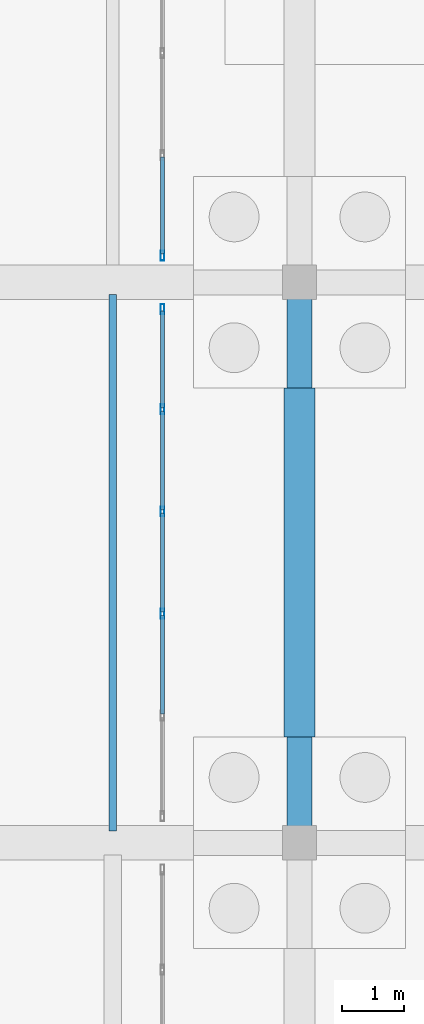
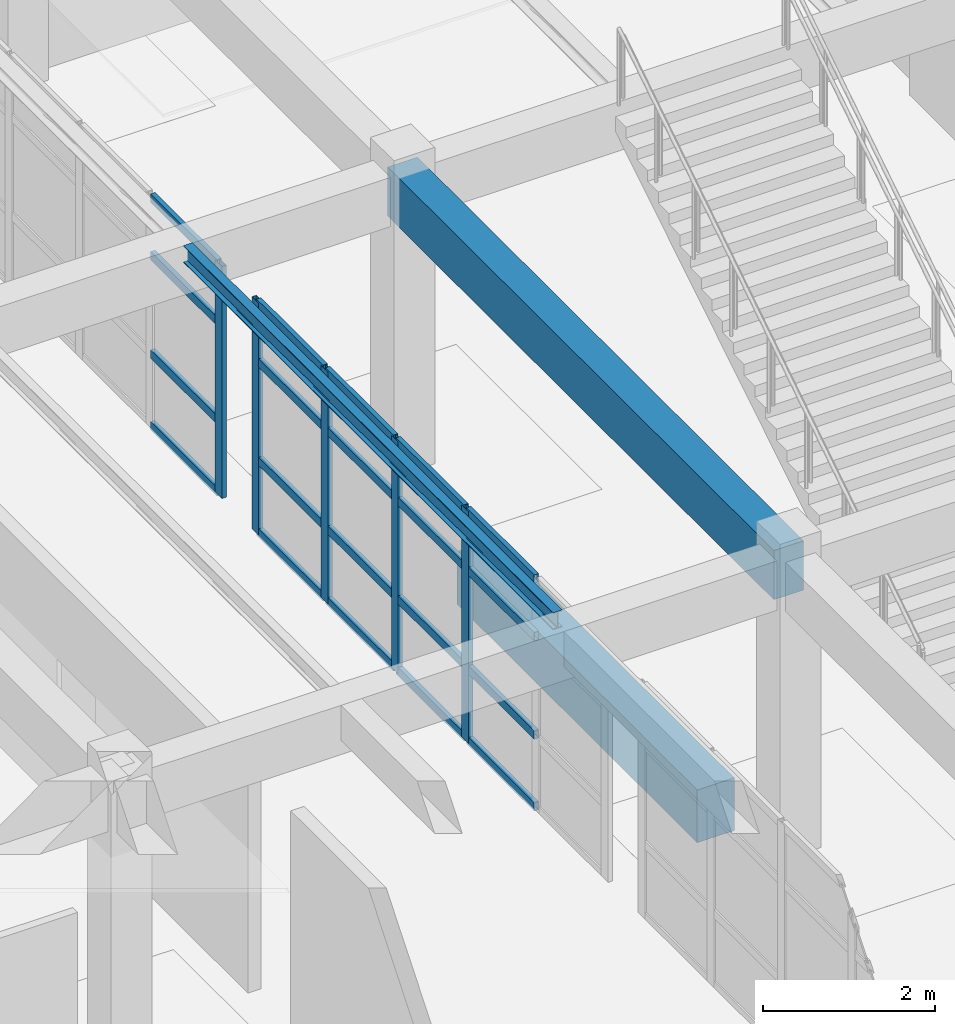
# One storey, part 43 of 186: 25 members, 3 beams, 2 elements without a shape of their own.
"""IFC4 building model written with IfcOpenShell, lengths in metres."""

from ifc_helpers import new_model, si_unit, direction, frame, origin, origin_2d, place, context, subcontext, project, spatial, rectangle, hollow_rectangle, i_section, extrude, material, layer, layer_set, material_profile, profile_set, type_object, element, aggregate, save


model = new_model("IFC4")

# Units and contexts
model_context = context("Model", 3, precision=1e-05, world=origin(), true_north=direction((0.0, 1.0)))
body_context = subcontext(model_context, "Body", "Model", "MODEL_VIEW")
ifc_project = project(units=[si_unit("LENGTHUNIT", "METRE"), si_unit("AREAUNIT", "SQUARE_METRE"), si_unit("VOLUMEUNIT", "CUBIC_METRE"), si_unit("PLANEANGLEUNIT", "RADIAN"), si_unit("MASSUNIT", "GRAM", prefix="KILO")], contexts=[model_context])

# Site, building, storey
site_placement = place(None, origin())
site = spatial("IfcSite", under=ifc_project, at=site_placement, CompositionType="ELEMENT")
building_placement = place(site_placement, origin())
building = spatial("IfcBuilding", under=site, at=building_placement, Name="Ornek Quay Market", CompositionType="ELEMENT")
storey_placement = place(building_placement, origin())
storey = spatial("IfcBuildingStorey", under=building, at=storey_placement, Name="L00", CompositionType="ELEMENT", Elevation=0.0)

# Beams
ifc_material_1 = material(Name="Concrete C35/45", Category="concrete")
ifc_material_profile_1 = material_profile(ifc_material_1, rectangle(XDim=0.5, YDim=0.75, at=origin_2d()), Name="RC 500x750", Category="concrete")
ifc_profile_set_1 = profile_set([ifc_material_profile_1], Name="Concrete C35/45")
beam_type_1 = type_object("IfcBeamType", Name="BM-GB-500x750", PredefinedType="BEAM", material=ifc_profile_set_1)
beam_1_placement = place(storey_placement, frame((18.0, 57.699951171875, -0.574951171875), z_axis=(0.0, 1.0, 0.0), x_axis=(-1.0, 0.0, 0.0)))
element("IfcBeam", 1, at=beam_1_placement, inside=storey, type_object=beam_type_1, Name="Ground tie beam GB-070", PredefinedType="BEAM", context=body_context, shape_type="SweptSolid", body=[
    extrude(rectangle(XDim=0.5, YDim=0.75, at=origin_2d()), origin(), (0.0, 0.0, 1.0), 5.60009765625),
])
ifc_material_2 = material(Name="Steel S355", Category="steel")
ifc_material_profile_2 = material_profile(ifc_material_2, i_section(OverallWidth=0.1201171875, OverallDepth=0.239990234375, WebThickness=0.006103515625, FlangeThickness=0.009765625, FilletRadius=0.014892578125, at=origin_2d()), Name="IPE 240", Category="steel")
ifc_profile_set_2 = profile_set([ifc_material_profile_2], Name="Steel S355")
beam_type_2 = type_object("IfcBeamType", Name="BM-STL-IPE240", PredefinedType="JOIST", material=ifc_profile_set_2)
beam_2_placement = place(storey_placement, frame((15.0, 56.19189453125, 4.10009765625), z_axis=(0.0, 1.0, 0.0), x_axis=(-1.0, 0.0, 0.0)))
element("IfcBeam", 2, at=beam_2_placement, inside=storey, type_object=beam_type_2, Name="Secondary joist SB-04-010", PredefinedType="JOIST", context=body_context, shape_type="SweptSolid", body=[
    extrude(i_section(OverallWidth=0.1201171875, OverallDepth=0.239990234375, WebThickness=0.006103515625, FlangeThickness=0.009765625, FilletRadius=0.014892578125, at=origin_2d()), origin(), (0.0, 0.0, 1.0), 8.6162109375),
])
ifc_material_profile_3 = material_profile(ifc_material_1, rectangle(XDim=0.39990234375, YDim=0.699951171875, at=origin_2d()), Name="RC 400x700", Category="concrete")
ifc_profile_set_3 = profile_set([ifc_material_profile_3], Name="Concrete C35/45")
beam_type_3 = type_object("IfcBeamType", Name="BM-WW-400x700", PredefinedType="BEAM", material=ifc_profile_set_3)
beam_3_placement = place(storey_placement, frame((18.0, 56.0, 3.8701171875), z_axis=(0.0, 1.0, 0.0), x_axis=(-1.0, 0.0, 0.0)))
element("IfcBeam", 3, at=beam_3_placement, inside=storey, type_object=beam_type_3, Name="Primary beam B-WW1-042", PredefinedType="BEAM", context=body_context, shape_type="SweptSolid", body=[
    extrude(rectangle(XDim=0.39990234375, YDim=0.699951171875, at=origin_2d()), origin(), (0.0, 0.0, 1.0), 9.0),
])

# Curtain wall, members
ifc_material_3 = material(Name="Anodised bronze aluminium and triple low-e glass", Category="aluminium")
ifc_layer = layer(ifc_material_3, 0.179931640625, Name="Anodised bronze aluminium and triple low-e glass", Category="aluminium")
ifc_layer_set = layer_set([ifc_layer], Name="Anodised bronze aluminium and triple low-e glass")
curtain_wall_type = type_object("IfcCurtainWallType", Name="CW-CONC-MOD1500", PredefinedType="USERDEFINED", material=ifc_layer_set)
curtain_wall_1_placement = place(storey_placement, origin())
curtain_wall_1 = element("IfcCurtainWall", 4, at=curtain_wall_1_placement, inside=storey, type_object=curtain_wall_type, Name="Curtain wall CW-140", ObjectType="CURTAIN WALL", PredefinedType="USERDEFINED")
ifc_material_4 = material(Name="Anodised aluminium 6063-T6", Category="aluminium")
ifc_material_profile_4 = material_profile(ifc_material_4, hollow_rectangle(XDim=0.06005859375, YDim=0.159912109375, WallThickness=0.00390625, at=origin_2d()), Name="CW-MUL-60x160", Category="aluminium")
ifc_profile_set_4 = profile_set([ifc_material_profile_4], Name="Anodised aluminium 6063-T6")
member_type_1 = type_object("IfcMemberType", Name="CW-MUL-60x160", PredefinedType="MULLION", material=ifc_profile_set_4)
member_1_placement = place(storey_placement, frame((15.800048828125, 59.679931640625, 0.0), z_axis=(0.0, 0.0, 1.0), x_axis=(-1.0, 0.0, 0.0)))
member_1 = element("IfcMember", 5, at=member_1_placement, type_object=member_type_1, Name="CW-140 mullion 3", PredefinedType="MULLION", context=body_context, shape_type="SweptSolid", body=[
    extrude(hollow_rectangle(XDim=0.06005859375, YDim=0.159912109375, WallThickness=0.00390625, at=origin_2d()), origin(), (0.0, 0.0, 1.0), 3.300048828125),
])
member_2_placement = place(storey_placement, frame((15.800048828125, 61.320068359375, 0.0), z_axis=(0.0, 0.0, 1.0), x_axis=(-1.0, 0.0, 0.0)))
member_2 = element("IfcMember", 6, at=member_2_placement, type_object=member_type_1, Name="CW-140 mullion 4", PredefinedType="MULLION", context=body_context, shape_type="SweptSolid", body=[
    extrude(hollow_rectangle(XDim=0.06005859375, YDim=0.159912109375, WallThickness=0.00390625, at=origin_2d()), origin(), (0.0, 0.0, 1.0), 3.300048828125),
])
member_3_placement = place(storey_placement, frame((15.800048828125, 62.9599609375, 0.0), z_axis=(0.0, 0.0, 1.0), x_axis=(-1.0, 0.0, 0.0)))
member_3 = element("IfcMember", 7, at=member_3_placement, type_object=member_type_1, Name="CW-140 mullion 5", PredefinedType="MULLION", context=body_context, shape_type="SweptSolid", body=[
    extrude(hollow_rectangle(XDim=0.06005859375, YDim=0.159912109375, WallThickness=0.00390625, at=origin_2d()), origin(), (0.0, 0.0, 1.0), 3.300048828125),
])
member_4_placement = place(storey_placement, frame((15.800048828125, 64.570068359375, 0.0), z_axis=(0.0, 0.0, 1.0), x_axis=(-1.0, 0.0, 0.0)))
member_4 = element("IfcMember", 8, at=member_4_placement, type_object=member_type_1, Name="CW-140 mullion 6", PredefinedType="MULLION", context=body_context, shape_type="SweptSolid", body=[
    extrude(hollow_rectangle(XDim=0.06005859375, YDim=0.159912109375, WallThickness=0.00390625, at=origin_2d()), origin(), (0.0, 0.0, 1.0), 3.300048828125),
])

# Curtain wall, member
curtain_wall_2_placement = place(storey_placement, origin())
curtain_wall_2 = element("IfcCurtainWall", 9, at=curtain_wall_2_placement, inside=storey, type_object=curtain_wall_type, Name="Curtain wall CW-142", ObjectType="CURTAIN WALL", PredefinedType="USERDEFINED")
member_5_placement = place(storey_placement, frame((15.800048828125, 65.429931640625, 0.0), z_axis=(0.0, 0.0, 1.0), x_axis=(-1.0, 0.0, 0.0)))
member_5 = element("IfcMember", 10, at=member_5_placement, type_object=member_type_1, Name="CW-142 mullion 1", PredefinedType="MULLION", context=body_context, shape_type="SweptSolid", body=[
    extrude(hollow_rectangle(XDim=0.06005859375, YDim=0.159912109375, WallThickness=0.00390625, at=origin_2d()), origin(), (0.0, 0.0, 1.0), 3.300048828125),
])

# Member
ifc_material_profile_5 = material_profile(ifc_material_4, hollow_rectangle(XDim=0.06005859375, YDim=0.1201171875, WallThickness=0.00390625, at=origin_2d()), Name="CW-TRN-60x120", Category="aluminium")
ifc_profile_set_5 = profile_set([ifc_material_profile_5], Name="Anodised aluminium 6063-T6")
member_type_2 = type_object("IfcMemberType", Name="CW-TRN-60x120", PredefinedType="USERDEFINED", material=ifc_profile_set_5)
member_6_placement = place(storey_placement, frame((15.800048828125, 58.070068359375, 0.030029296875), z_axis=(0.0, 1.0, 0.0), x_axis=(-1.0, 0.0, 0.0)))
member_6 = element("IfcMember", 11, at=member_6_placement, type_object=member_type_2, Name="CW-140 transom 2.1", ObjectType="TRANSOM", PredefinedType="USERDEFINED", context=body_context, shape_type="SweptSolid", body=[
    extrude(hollow_rectangle(XDim=0.06005859375, YDim=0.1201171875, WallThickness=0.00390625, at=origin_2d()), origin(), (0.0, 0.0, 1.0), 1.579833984375),
])

member_7_placement = place(storey_placement, frame((15.800048828125, 58.070068359375, 1.050048828125), z_axis=(0.0, 1.0, 0.0), x_axis=(-1.0, 0.0, 0.0)))
member_7 = element("IfcMember", 12, at=member_7_placement, type_object=member_type_2, Name="CW-140 transom 2.2", ObjectType="TRANSOM", PredefinedType="USERDEFINED", context=body_context, shape_type="SweptSolid", body=[
    extrude(hollow_rectangle(XDim=0.06005859375, YDim=0.1201171875, WallThickness=0.00390625, at=origin_2d()), origin(), (0.0, 0.0, 1.0), 1.579833984375),
])

member_8_placement = place(storey_placement, frame((15.800048828125, 58.070068359375, 2.449951171875), z_axis=(0.0, 1.0, 0.0), x_axis=(-1.0, 0.0, 0.0)))
member_8 = element("IfcMember", 13, at=member_8_placement, type_object=member_type_2, Name="CW-140 transom 2.3", ObjectType="TRANSOM", PredefinedType="USERDEFINED", context=body_context, shape_type="SweptSolid", body=[
    extrude(hollow_rectangle(XDim=0.06005859375, YDim=0.1201171875, WallThickness=0.00390625, at=origin_2d()), origin(), (0.0, 0.0, 1.0), 1.579833984375),
])

member_9_placement = place(storey_placement, frame((15.800048828125, 58.070068359375, 3.27001953125), z_axis=(0.0, 1.0, 0.0), x_axis=(-1.0, 0.0, 0.0)))
member_9 = element("IfcMember", 14, at=member_9_placement, type_object=member_type_2, Name="CW-140 transom 2.4", ObjectType="TRANSOM", PredefinedType="USERDEFINED", context=body_context, shape_type="SweptSolid", body=[
    extrude(hollow_rectangle(XDim=0.06005859375, YDim=0.1201171875, WallThickness=0.00390625, at=origin_2d()), origin(), (0.0, 0.0, 1.0), 1.579833984375),
])

member_10_placement = place(storey_placement, frame((15.800048828125, 59.7099609375, 0.030029296875), z_axis=(0.0, 1.0, 0.0), x_axis=(-1.0, 0.0, 0.0)))
member_10 = element("IfcMember", 15, at=member_10_placement, type_object=member_type_2, Name="CW-140 transom 3.1", ObjectType="TRANSOM", PredefinedType="USERDEFINED", context=body_context, shape_type="SweptSolid", body=[
    extrude(hollow_rectangle(XDim=0.06005859375, YDim=0.1201171875, WallThickness=0.00390625, at=origin_2d()), origin(), (0.0, 0.0, 1.0), 1.580078125),
])

member_11_placement = place(storey_placement, frame((15.800048828125, 59.7099609375, 1.050048828125), z_axis=(0.0, 1.0, 0.0), x_axis=(-1.0, 0.0, 0.0)))
member_11 = element("IfcMember", 16, at=member_11_placement, type_object=member_type_2, Name="CW-140 transom 3.2", ObjectType="TRANSOM", PredefinedType="USERDEFINED", context=body_context, shape_type="SweptSolid", body=[
    extrude(hollow_rectangle(XDim=0.06005859375, YDim=0.1201171875, WallThickness=0.00390625, at=origin_2d()), origin(), (0.0, 0.0, 1.0), 1.580078125),
])

member_12_placement = place(storey_placement, frame((15.800048828125, 59.7099609375, 2.449951171875), z_axis=(0.0, 1.0, 0.0), x_axis=(-1.0, 0.0, 0.0)))
member_12 = element("IfcMember", 17, at=member_12_placement, type_object=member_type_2, Name="CW-140 transom 3.3", ObjectType="TRANSOM", PredefinedType="USERDEFINED", context=body_context, shape_type="SweptSolid", body=[
    extrude(hollow_rectangle(XDim=0.06005859375, YDim=0.1201171875, WallThickness=0.00390625, at=origin_2d()), origin(), (0.0, 0.0, 1.0), 1.580078125),
])

member_13_placement = place(storey_placement, frame((15.800048828125, 59.7099609375, 3.27001953125), z_axis=(0.0, 1.0, 0.0), x_axis=(-1.0, 0.0, 0.0)))
member_13 = element("IfcMember", 18, at=member_13_placement, type_object=member_type_2, Name="CW-140 transom 3.4", ObjectType="TRANSOM", PredefinedType="USERDEFINED", context=body_context, shape_type="SweptSolid", body=[
    extrude(hollow_rectangle(XDim=0.06005859375, YDim=0.1201171875, WallThickness=0.00390625, at=origin_2d()), origin(), (0.0, 0.0, 1.0), 1.580078125),
])

member_14_placement = place(storey_placement, frame((15.800048828125, 61.35009765625, 0.030029296875), z_axis=(0.0, 1.0, 0.0), x_axis=(-1.0, 0.0, 0.0)))
member_14 = element("IfcMember", 19, at=member_14_placement, type_object=member_type_2, Name="CW-140 transom 4.1", ObjectType="TRANSOM", PredefinedType="USERDEFINED", context=body_context, shape_type="SweptSolid", body=[
    extrude(hollow_rectangle(XDim=0.06005859375, YDim=0.1201171875, WallThickness=0.00390625, at=origin_2d()), origin(), (0.0, 0.0, 1.0), 1.579833984375),
])

member_15_placement = place(storey_placement, frame((15.800048828125, 61.35009765625, 1.050048828125), z_axis=(0.0, 1.0, 0.0), x_axis=(-1.0, 0.0, 0.0)))
member_15 = element("IfcMember", 20, at=member_15_placement, type_object=member_type_2, Name="CW-140 transom 4.2", ObjectType="TRANSOM", PredefinedType="USERDEFINED", context=body_context, shape_type="SweptSolid", body=[
    extrude(hollow_rectangle(XDim=0.06005859375, YDim=0.1201171875, WallThickness=0.00390625, at=origin_2d()), origin(), (0.0, 0.0, 1.0), 1.579833984375),
])

member_16_placement = place(storey_placement, frame((15.800048828125, 61.35009765625, 2.449951171875), z_axis=(0.0, 1.0, 0.0), x_axis=(-1.0, 0.0, 0.0)))
member_16 = element("IfcMember", 21, at=member_16_placement, type_object=member_type_2, Name="CW-140 transom 4.3", ObjectType="TRANSOM", PredefinedType="USERDEFINED", context=body_context, shape_type="SweptSolid", body=[
    extrude(hollow_rectangle(XDim=0.06005859375, YDim=0.1201171875, WallThickness=0.00390625, at=origin_2d()), origin(), (0.0, 0.0, 1.0), 1.579833984375),
])

member_17_placement = place(storey_placement, frame((15.800048828125, 61.35009765625, 3.27001953125), z_axis=(0.0, 1.0, 0.0), x_axis=(-1.0, 0.0, 0.0)))
member_17 = element("IfcMember", 22, at=member_17_placement, type_object=member_type_2, Name="CW-140 transom 4.4", ObjectType="TRANSOM", PredefinedType="USERDEFINED", context=body_context, shape_type="SweptSolid", body=[
    extrude(hollow_rectangle(XDim=0.06005859375, YDim=0.1201171875, WallThickness=0.00390625, at=origin_2d()), origin(), (0.0, 0.0, 1.0), 1.579833984375),
])

member_18_placement = place(storey_placement, frame((15.800048828125, 62.989990234375, 0.030029296875), z_axis=(0.0, 1.0, 0.0), x_axis=(-1.0, 0.0, 0.0)))
member_18 = element("IfcMember", 23, at=member_18_placement, type_object=member_type_2, Name="CW-140 transom 5.1", ObjectType="TRANSOM", PredefinedType="USERDEFINED", context=body_context, shape_type="SweptSolid", body=[
    extrude(hollow_rectangle(XDim=0.06005859375, YDim=0.1201171875, WallThickness=0.00390625, at=origin_2d()), origin(), (0.0, 0.0, 1.0), 1.550048828125),
])

member_19_placement = place(storey_placement, frame((15.800048828125, 62.989990234375, 1.050048828125), z_axis=(0.0, 1.0, 0.0), x_axis=(-1.0, 0.0, 0.0)))
member_19 = element("IfcMember", 24, at=member_19_placement, type_object=member_type_2, Name="CW-140 transom 5.2", ObjectType="TRANSOM", PredefinedType="USERDEFINED", context=body_context, shape_type="SweptSolid", body=[
    extrude(hollow_rectangle(XDim=0.06005859375, YDim=0.1201171875, WallThickness=0.00390625, at=origin_2d()), origin(), (0.0, 0.0, 1.0), 1.550048828125),
])

member_20_placement = place(storey_placement, frame((15.800048828125, 62.989990234375, 2.449951171875), z_axis=(0.0, 1.0, 0.0), x_axis=(-1.0, 0.0, 0.0)))
member_20 = element("IfcMember", 25, at=member_20_placement, type_object=member_type_2, Name="CW-140 transom 5.3", ObjectType="TRANSOM", PredefinedType="USERDEFINED", context=body_context, shape_type="SweptSolid", body=[
    extrude(hollow_rectangle(XDim=0.06005859375, YDim=0.1201171875, WallThickness=0.00390625, at=origin_2d()), origin(), (0.0, 0.0, 1.0), 1.550048828125),
])

member_21_placement = place(storey_placement, frame((15.800048828125, 62.989990234375, 3.27001953125), z_axis=(0.0, 1.0, 0.0), x_axis=(-1.0, 0.0, 0.0)))
member_21 = element("IfcMember", 26, at=member_21_placement, type_object=member_type_2, Name="CW-140 transom 5.4", ObjectType="TRANSOM", PredefinedType="USERDEFINED", context=body_context, shape_type="SweptSolid", body=[
    extrude(hollow_rectangle(XDim=0.06005859375, YDim=0.1201171875, WallThickness=0.00390625, at=origin_2d()), origin(), (0.0, 0.0, 1.0), 1.550048828125),
])

aggregate(curtain_wall_1, [member_1, member_2, member_3, member_4, member_6, member_7, member_8, member_9, member_10, member_11, member_12, member_13, member_14, member_15, member_16, member_17, member_18, member_19, member_20, member_21])

member_22_placement = place(storey_placement, frame((15.800048828125, 65.4599609375, 0.030029296875), z_axis=(0.0, 1.0, 0.0), x_axis=(-1.0, 0.0, 0.0)))
member_22 = element("IfcMember", 27, at=member_22_placement, type_object=member_type_2, Name="CW-142 transom 1.1", ObjectType="TRANSOM", PredefinedType="USERDEFINED", context=body_context, shape_type="SweptSolid", body=[
    extrude(hollow_rectangle(XDim=0.06005859375, YDim=0.1201171875, WallThickness=0.00390625, at=origin_2d()), origin(), (0.0, 0.0, 1.0), 1.550048828125),
])

member_23_placement = place(storey_placement, frame((15.800048828125, 65.4599609375, 1.050048828125), z_axis=(0.0, 1.0, 0.0), x_axis=(-1.0, 0.0, 0.0)))
member_23 = element("IfcMember", 28, at=member_23_placement, type_object=member_type_2, Name="CW-142 transom 1.2", ObjectType="TRANSOM", PredefinedType="USERDEFINED", context=body_context, shape_type="SweptSolid", body=[
    extrude(hollow_rectangle(XDim=0.06005859375, YDim=0.1201171875, WallThickness=0.00390625, at=origin_2d()), origin(), (0.0, 0.0, 1.0), 1.550048828125),
])

member_24_placement = place(storey_placement, frame((15.800048828125, 65.4599609375, 2.449951171875), z_axis=(0.0, 1.0, 0.0), x_axis=(-1.0, 0.0, 0.0)))
member_24 = element("IfcMember", 29, at=member_24_placement, type_object=member_type_2, Name="CW-142 transom 1.3", ObjectType="TRANSOM", PredefinedType="USERDEFINED", context=body_context, shape_type="SweptSolid", body=[
    extrude(hollow_rectangle(XDim=0.06005859375, YDim=0.1201171875, WallThickness=0.00390625, at=origin_2d()), origin(), (0.0, 0.0, 1.0), 1.550048828125),
])

member_25_placement = place(storey_placement, frame((15.800048828125, 65.4599609375, 3.27001953125), z_axis=(0.0, 1.0, 0.0), x_axis=(-1.0, 0.0, 0.0)))
member_25 = element("IfcMember", 30, at=member_25_placement, type_object=member_type_2, Name="CW-142 transom 1.4", ObjectType="TRANSOM", PredefinedType="USERDEFINED", context=body_context, shape_type="SweptSolid", body=[
    extrude(hollow_rectangle(XDim=0.06005859375, YDim=0.1201171875, WallThickness=0.00390625, at=origin_2d()), origin(), (0.0, 0.0, 1.0), 1.550048828125),
])

aggregate(curtain_wall_2, [member_5, member_22, member_23, member_24, member_25])

save(model, "model.ifc")
